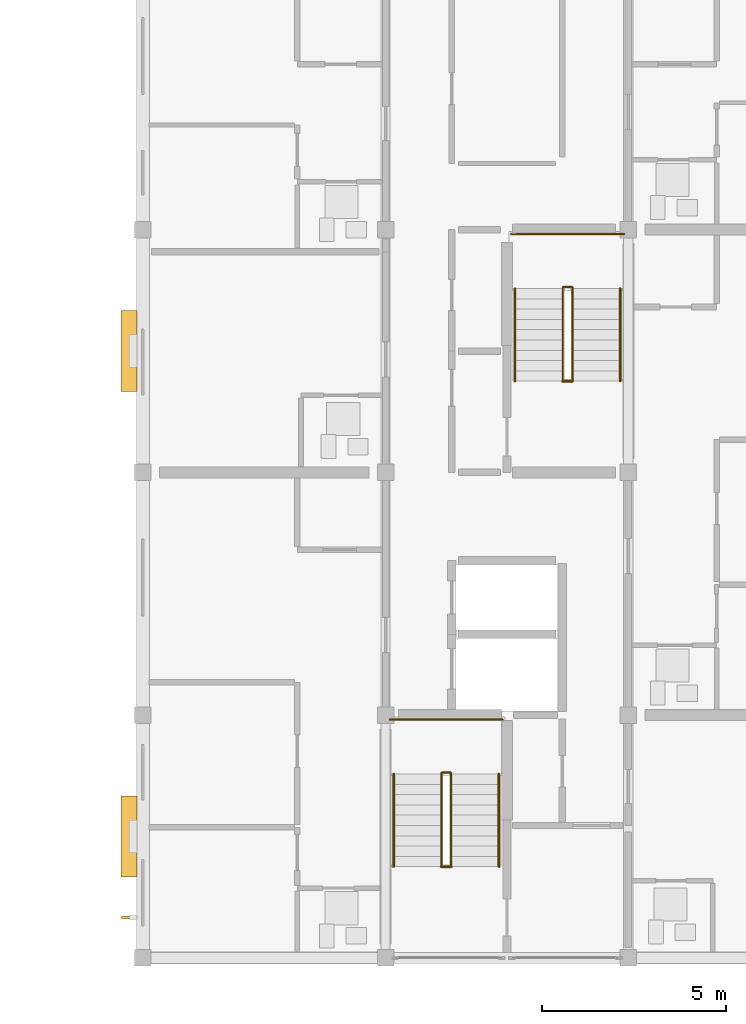
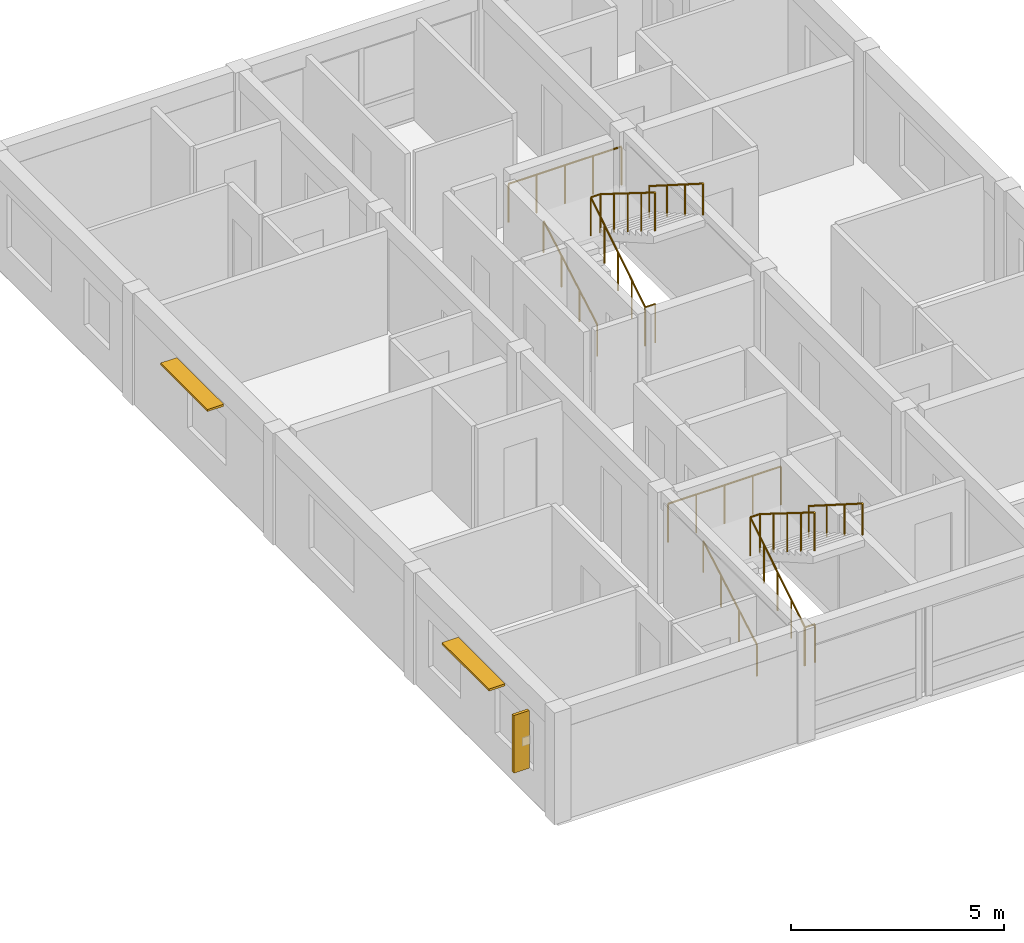
# One storey, part 49 of 53: 10 railings, 3 shading devices.
"""IFC4 building model written with IfcOpenShell, lengths in metres."""

from ifc_helpers import new_model, si_unit, direction, frame, origin, origin_2d, place, context, subcontext, project, spatial, rectangle, circle, extrude, material, layer, layer_set, type_object, element, save


model = new_model("IFC4")

# Units and contexts
model_context = context("Model", 3, precision=1e-05, world=origin(), true_north=direction((0.0, 1.0)))
body_context = subcontext(model_context, "Body", "Model", "MODEL_VIEW")
ifc_project = project(units=[si_unit("LENGTHUNIT", "METRE"), si_unit("AREAUNIT", "SQUARE_METRE"), si_unit("VOLUMEUNIT", "CUBIC_METRE"), si_unit("PLANEANGLEUNIT", "RADIAN"), si_unit("MASSUNIT", "GRAM", prefix="KILO")], contexts=[model_context])

# Site, building, storey
site_placement = place(None, origin())
site = spatial("IfcSite", under=ifc_project, at=site_placement, CompositionType="ELEMENT")
building_placement = place(site_placement, origin())
building = spatial("IfcBuilding", under=site, at=building_placement, Name="Kernevlak Ridge Housing Community", CompositionType="ELEMENT")
storey_placement = place(building_placement, frame((0.0, 0.0, 24.39990234375)))
storey = spatial("IfcBuildingStorey", under=building, at=storey_placement, Name="L07", CompositionType="ELEMENT", Elevation=24.39990234375)

# Railings
ifc_material_1 = material(Name="Steel S355", Category="steel")
railing_type_1 = type_object("IfcRailingType", Name="GR-02", PredefinedType="GUARDRAIL", material=ifc_material_1)
railing_1_placement = place(storey_placement, frame((134.110107421875, 18.080078125, 0.0)))
element("IfcRailing", 1, at=railing_1_placement, inside=storey, type_object=railing_type_1, Name="Stair ST-C1 L07 well slot guard", PredefinedType="GUARDRAIL", context=body_context, shape_type="SweptSolid", body=[
    extrude(circle(Radius=0.02392578125, at=origin_2d()), frame((0.0, 0.0, 1.09619140625), z_axis=(1.0, 0.0, 0.0), x_axis=(0.0, 1.0, 0.0)), (0.0, 0.0, 1.0), 0.27978515625),
    extrude(circle(Radius=0.02099609375, at=origin_2d()), origin(), (0.0, 0.0, 1.0), 1.072021484375),
    extrude(circle(Radius=0.02099609375, at=origin_2d()), frame((0.27978515625, 0.0, 0.0)), (0.0, 0.0, 1.0), 1.072021484375),
])
railing_2_placement = place(storey_placement, frame((134.1201171875, 18.080078125, 0.0)))
element("IfcRailing", 2, at=railing_2_placement, inside=storey, type_object=railing_type_1, Name="Stair ST-C1 L07 inner well guardrail", PredefinedType="GUARDRAIL", context=body_context, shape_type="SweptSolid", body=[
    extrude(circle(Radius=0.02392578125, at=origin_2d()), frame((0.0, 0.0, 1.09619140625), z_axis=(0.0, 0.847966497998, 0.530049826217), x_axis=(-1.0, 0.0, 0.0)), (0.0, 0.0, 1.0), 3.018798828125),
    extrude(circle(Radius=0.02392578125, at=origin_2d()), frame((0.0, 2.559814453125, 2.6962890625), z_axis=(1.0, 0.0, 0.0), x_axis=(0.0, 1.0, 0.0)), (0.0, 0.0, 1.0), 0.259765625),
    extrude(circle(Radius=0.02392578125, at=origin_2d()), frame((0.259765625, 2.559814453125, 2.6962890625), z_axis=(0.0, -0.847966497998, 0.530049826217), x_axis=(1.0, 0.0, 0.0)), (0.0, 0.0, 1.0), 3.018798828125),
    extrude(circle(Radius=0.02099609375, at=origin_2d()), origin(), (0.0, 0.0, 1.0), 1.072021484375),
    extrude(circle(Radius=0.02099609375, at=origin_2d()), frame((0.0, 0.639892578125, 0.39990234375)), (0.0, 0.0, 1.0), 1.072021484375),
    extrude(circle(Radius=0.02099609375, at=origin_2d()), frame((0.0, 1.27978515625, 0.800048828125)), (0.0, 0.0, 1.0), 1.072021484375),
    extrude(circle(Radius=0.02099609375, at=origin_2d()), frame((0.0, 1.919921875, 1.2001953125)), (0.0, 0.0, 1.0), 1.072021484375),
    extrude(circle(Radius=0.02099609375, at=origin_2d()), frame((0.0, 2.559814453125, 1.60009765625)), (0.0, 0.0, 1.0), 1.072021484375),
    extrude(circle(Radius=0.02099609375, at=origin_2d()), frame((0.259765625, 2.559814453125, 1.60009765625)), (0.0, 0.0, 1.0), 1.072021484375),
    extrude(circle(Radius=0.02099609375, at=origin_2d()), frame((0.259765625, 1.919921875, 2.0)), (0.0, 0.0, 1.0), 1.072021484375),
    extrude(circle(Radius=0.02099609375, at=origin_2d()), frame((0.259765625, 1.27978515625, 2.400146484375)), (0.0, 0.0, 1.0), 1.072021484375),
    extrude(circle(Radius=0.02099609375, at=origin_2d()), frame((0.259765625, 0.639892578125, 2.80029296875)), (0.0, 0.0, 1.0), 1.072021484375),
    extrude(circle(Radius=0.02099609375, at=origin_2d()), frame((0.259765625, 0.0, 3.2001953125)), (0.0, 0.0, 1.0), 1.072021484375),
])
railing_3_placement = place(storey_placement, frame((132.719970703125, 22.080078125, 1.60009765625)))
element("IfcRailing", 3, at=railing_3_placement, inside=storey, type_object=railing_type_1, Name="Stair ST-C1 L07 half-landing guard", PredefinedType="GUARDRAIL", context=body_context, shape_type="SweptSolid", body=[
    extrude(circle(Radius=0.02392578125, at=origin_2d()), frame((0.0, 0.0, 1.09619140625), z_axis=(1.0, 0.0, 0.0), x_axis=(0.0, 1.0, 0.0)), (0.0, 0.0, 1.0), 3.06005859375),
    extrude(circle(Radius=0.02099609375, at=origin_2d()), origin(), (0.0, 0.0, 1.0), 1.072021484375),
    extrude(circle(Radius=0.02099609375, at=origin_2d()), frame((0.76513671875, 0.0, 0.0)), (0.0, 0.0, 1.0), 1.072021484375),
    extrude(circle(Radius=0.02099609375, at=origin_2d()), frame((1.530029296875, 0.0, 0.0)), (0.0, 0.0, 1.0), 1.072021484375),
    extrude(circle(Radius=0.02099609375, at=origin_2d()), frame((2.294921875, 0.0, 0.0)), (0.0, 0.0, 1.0), 1.072021484375),
    extrude(circle(Radius=0.02099609375, at=origin_2d()), frame((3.06005859375, 0.0, 0.0)), (0.0, 0.0, 1.0), 1.072021484375),
])
railing_4_placement = place(storey_placement, frame((137.409912109375, 31.280029296875, 0.0)))
element("IfcRailing", 4, at=railing_4_placement, inside=storey, type_object=railing_type_1, Name="Stair ST-C2 L07 well slot guard", PredefinedType="GUARDRAIL", context=body_context, shape_type="SweptSolid", body=[
    extrude(circle(Radius=0.02392578125, at=origin_2d()), frame((0.0, 0.0, 1.09619140625), z_axis=(1.0, 0.0, 0.0), x_axis=(0.0, 1.0, 0.0)), (0.0, 0.0, 1.0), 0.280029296875),
    extrude(circle(Radius=0.02099609375, at=origin_2d()), origin(), (0.0, 0.0, 1.0), 1.072021484375),
    extrude(circle(Radius=0.02099609375, at=origin_2d()), frame((0.280029296875, 0.0, 0.0)), (0.0, 0.0, 1.0), 1.072021484375),
])
railing_5_placement = place(storey_placement, frame((137.419921875, 31.280029296875, 0.0)))
element("IfcRailing", 5, at=railing_5_placement, inside=storey, type_object=railing_type_1, Name="Stair ST-C2 L07 inner well guardrail", PredefinedType="GUARDRAIL", context=body_context, shape_type="SweptSolid", body=[
    extrude(circle(Radius=0.02392578125, at=origin_2d()), frame((0.0, 0.0, 1.09619140625), z_axis=(0.0, 0.847989217509, 0.530013478119), x_axis=(-1.0, 0.0, 0.0)), (0.0, 0.0, 1.0), 3.01904296875),
    extrude(circle(Radius=0.02392578125, at=origin_2d()), frame((0.0, 2.56005859375, 2.6962890625), z_axis=(1.0, 0.0, 0.0), x_axis=(0.0, 1.0, 0.0)), (0.0, 0.0, 1.0), 0.260009765625),
    extrude(circle(Radius=0.02392578125, at=origin_2d()), frame((0.260009765625, 2.56005859375, 2.6962890625), z_axis=(0.0, -0.847989217509, 0.530013478119), x_axis=(1.0, 0.0, 0.0)), (0.0, 0.0, 1.0), 3.01904296875),
    extrude(circle(Radius=0.02099609375, at=origin_2d()), origin(), (0.0, 0.0, 1.0), 1.072021484375),
    extrude(circle(Radius=0.02099609375, at=origin_2d()), frame((0.0, 0.64013671875, 0.39990234375)), (0.0, 0.0, 1.0), 1.072021484375),
    extrude(circle(Radius=0.02099609375, at=origin_2d()), frame((0.0, 1.280029296875, 0.800048828125)), (0.0, 0.0, 1.0), 1.072021484375),
    extrude(circle(Radius=0.02099609375, at=origin_2d()), frame((0.0, 1.919921875, 1.2001953125)), (0.0, 0.0, 1.0), 1.072021484375),
    extrude(circle(Radius=0.02099609375, at=origin_2d()), frame((0.0, 2.56005859375, 1.60009765625)), (0.0, 0.0, 1.0), 1.072021484375),
    extrude(circle(Radius=0.02099609375, at=origin_2d()), frame((0.260009765625, 2.56005859375, 1.60009765625)), (0.0, 0.0, 1.0), 1.072021484375),
    extrude(circle(Radius=0.02099609375, at=origin_2d()), frame((0.260009765625, 1.919921875, 2.0)), (0.0, 0.0, 1.0), 1.072021484375),
    extrude(circle(Radius=0.02099609375, at=origin_2d()), frame((0.260009765625, 1.280029296875, 2.400146484375)), (0.0, 0.0, 1.0), 1.072021484375),
    extrude(circle(Radius=0.02099609375, at=origin_2d()), frame((0.260009765625, 0.64013671875, 2.80029296875)), (0.0, 0.0, 1.0), 1.072021484375),
    extrude(circle(Radius=0.02099609375, at=origin_2d()), frame((0.260009765625, 0.0, 3.2001953125)), (0.0, 0.0, 1.0), 1.072021484375),
])
railing_6_placement = place(storey_placement, frame((136.02001953125, 35.280029296875, 1.60009765625)))
element("IfcRailing", 6, at=railing_6_placement, inside=storey, type_object=railing_type_1, Name="Stair ST-C2 L07 half-landing guard", PredefinedType="GUARDRAIL", context=body_context, shape_type="SweptSolid", body=[
    extrude(circle(Radius=0.02392578125, at=origin_2d()), frame((0.0, 0.0, 1.09619140625), z_axis=(1.0, 0.0, 0.0), x_axis=(0.0, 1.0, 0.0)), (0.0, 0.0, 1.0), 3.06005859375),
    extrude(circle(Radius=0.02099609375, at=origin_2d()), origin(), (0.0, 0.0, 1.0), 1.072021484375),
    extrude(circle(Radius=0.02099609375, at=origin_2d()), frame((0.76513671875, 0.0, 0.0)), (0.0, 0.0, 1.0), 1.072021484375),
    extrude(circle(Radius=0.02099609375, at=origin_2d()), frame((1.530029296875, 0.0, 0.0)), (0.0, 0.0, 1.0), 1.072021484375),
    extrude(circle(Radius=0.02099609375, at=origin_2d()), frame((2.294921875, 0.0, 0.0)), (0.0, 0.0, 1.0), 1.072021484375),
    extrude(circle(Radius=0.02099609375, at=origin_2d()), frame((3.06005859375, 0.0, 0.0)), (0.0, 0.0, 1.0), 1.072021484375),
])
ifc_material_2 = material(Name="Stainless steel EN 1.4401", Category="steel")
railing_type_2 = type_object("IfcRailingType", Name="HR-01", PredefinedType="HANDRAIL", material=ifc_material_2)
railing_7_placement = place(storey_placement, frame((132.820068359375, 18.080078125, 0.16015625)))
element("IfcRailing", 7, at=railing_7_placement, inside=storey, type_object=railing_type_2, Name="Stair ST-C1 L07 flight 1 handrail", PredefinedType="HANDRAIL", context=body_context, shape_type="SweptSolid", body=[
    extrude(circle(Radius=0.02392578125, at=origin_2d()), frame((0.0, 0.0, 0.89599609375), z_axis=(0.0, 0.868253494771, 0.496120820787), x_axis=(-1.0, 0.0, 0.0)), (0.0, 0.0, 1.0), 2.90234375),
    extrude(circle(Radius=0.02099609375, at=origin_2d()), origin(), (0.0, 0.0, 1.0), 0.871826171875),
    extrude(circle(Radius=0.02099609375, at=origin_2d()), frame((0.0, 0.840087890625, 0.47998046875)), (0.0, 0.0, 1.0), 0.871826171875),
    extrude(circle(Radius=0.02099609375, at=origin_2d()), frame((0.0, 1.679931640625, 0.9599609375)), (0.0, 0.0, 1.0), 0.871826171875),
    extrude(circle(Radius=0.02099609375, at=origin_2d()), frame((0.0, 2.52001953125, 1.43994140625)), (0.0, 0.0, 1.0), 0.871826171875),
])
railing_8_placement = place(storey_placement, frame((135.679931640625, 20.60009765625, 1.60009765625)))
element("IfcRailing", 8, at=railing_8_placement, inside=storey, type_object=railing_type_2, Name="Stair ST-C1 L07 flight 2 handrail", PredefinedType="HANDRAIL", context=body_context, shape_type="SweptSolid", body=[
    extrude(circle(Radius=0.02392578125, at=origin_2d()), frame((0.0, 0.0, 0.89599609375), z_axis=(0.0, -0.844199891302, 0.536028491338), x_axis=(1.0, 0.0, 0.0)), (0.0, 0.0, 1.0), 2.985107421875),
    extrude(circle(Radius=0.02099609375, at=origin_2d()), origin(), (0.0, 0.0, 1.0), 0.871826171875),
    extrude(circle(Radius=0.02099609375, at=origin_2d()), frame((0.0, -0.840087890625, 0.533447265625)), (0.0, 0.0, 1.0), 0.871826171875),
    extrude(circle(Radius=0.02099609375, at=origin_2d()), frame((0.0, -1.679931640625, 1.066650390625)), (0.0, 0.0, 1.0), 0.871826171875),
    extrude(circle(Radius=0.02099609375, at=origin_2d()), frame((0.0, -2.52001953125, 1.60009765625)), (0.0, 0.0, 1.0), 0.871826171875),
])
railing_9_placement = place(storey_placement, frame((136.1201171875, 31.280029296875, 0.16015625)))
element("IfcRailing", 9, at=railing_9_placement, inside=storey, type_object=railing_type_2, Name="Stair ST-C2 L07 flight 1 handrail", PredefinedType="HANDRAIL", context=body_context, shape_type="SweptSolid", body=[
    extrude(circle(Radius=0.02392578125, at=origin_2d()), frame((0.0, 0.0, 0.89599609375), z_axis=(0.0, 0.868253494771, 0.496120820787), x_axis=(-1.0, 0.0, 0.0)), (0.0, 0.0, 1.0), 2.90234375),
    extrude(circle(Radius=0.02099609375, at=origin_2d()), origin(), (0.0, 0.0, 1.0), 0.871826171875),
    extrude(circle(Radius=0.02099609375, at=origin_2d()), frame((0.0, 0.840087890625, 0.47998046875)), (0.0, 0.0, 1.0), 0.871826171875),
    extrude(circle(Radius=0.02099609375, at=origin_2d()), frame((0.0, 1.679931640625, 0.9599609375)), (0.0, 0.0, 1.0), 0.871826171875),
    extrude(circle(Radius=0.02099609375, at=origin_2d()), frame((0.0, 2.52001953125, 1.43994140625)), (0.0, 0.0, 1.0), 0.871826171875),
])
railing_10_placement = place(storey_placement, frame((138.97998046875, 33.800048828125, 1.60009765625)))
element("IfcRailing", 10, at=railing_10_placement, inside=storey, type_object=railing_type_2, Name="Stair ST-C2 L07 flight 2 handrail", PredefinedType="HANDRAIL", context=body_context, shape_type="SweptSolid", body=[
    extrude(circle(Radius=0.02392578125, at=origin_2d()), frame((0.0, 0.0, 0.89599609375), z_axis=(0.0, -0.844199891302, 0.536028491338), x_axis=(1.0, 0.0, 0.0)), (0.0, 0.0, 1.0), 2.985107421875),
    extrude(circle(Radius=0.02099609375, at=origin_2d()), origin(), (0.0, 0.0, 1.0), 0.871826171875),
    extrude(circle(Radius=0.02099609375, at=origin_2d()), frame((0.0, -0.840087890625, 0.533447265625)), (0.0, 0.0, 1.0), 0.871826171875),
    extrude(circle(Radius=0.02099609375, at=origin_2d()), frame((0.0, -1.679931640625, 1.066650390625)), (0.0, 0.0, 1.0), 0.871826171875),
    extrude(circle(Radius=0.02099609375, at=origin_2d()), frame((0.0, -2.52001953125, 1.60009765625)), (0.0, 0.0, 1.0), 0.871826171875),
])

# Shading devices
ifc_material_3 = material(Name="Aluminium EN AW-6060 anodised", Category="aluminium")
ifc_layer = layer(ifc_material_3, 0.06005859375, Name="Aluminium EN AW-6060 anodised")
ifc_layer_set = layer_set([ifc_layer], Name="Aluminium EN AW-6060 anodised")
shading_device_type_1 = type_object("IfcShadingDeviceType", Name="LV-01", PredefinedType="JALOUSIE", material=ifc_layer_set)
for number, where, z_axis, x_axis, name in (
    (11, (125.6201171875, 18.89990234375, 2.489990234375), (0.0, 0.0, 1.0), (0.0, 1.0, 0.0), "Horizontal solar louvre 33"),
    (12, (125.6201171875, 32.10009765625, 2.489990234375), (0.0, 0.0, 1.0), (0.0, 1.0, 0.0), "Horizontal solar louvre 34"),
):
    element("IfcShadingDevice", number, at=place(storey_placement, frame(where, z_axis=z_axis, x_axis=x_axis)), inside=storey, type_object=shading_device_type_1, Name=name, PredefinedType="JALOUSIE", context=body_context, shape_type="SweptSolid", body=[
        extrude(rectangle(XDim=2.199951171875, YDim=0.43994140625, at=origin_2d()), origin(), (0.0, 0.0, 1.0), 0.06005859375),
    ])
ifc_material_4 = material(Name="Aluminium EN AW-6060 enamelled", Category="aluminium")
shading_device_type_2 = type_object("IfcShadingDeviceType", Name="LV-02", PredefinedType="USERDEFINED", material=ifc_material_4)
shading_device_placement = place(storey_placement, frame((125.6298828125, 16.699951171875, 0.8251953125), z_axis=(0.0, 0.0, 1.0), x_axis=(0.0, 1.0, 0.0)))
element("IfcShadingDevice", 13, at=shading_device_placement, inside=storey, type_object=shading_device_type_2, Name="De Stijl yellow vertical solar fin 33", ObjectType="LOUVRE", PredefinedType="USERDEFINED", context=body_context, shape_type="SweptSolid", body=[
    extrude(rectangle(XDim=0.080078125, YDim=0.419921875, at=origin_2d()), origin(), (0.0, 0.0, 1.0), 1.64990234375),
])

save(model, "model.ifc")
